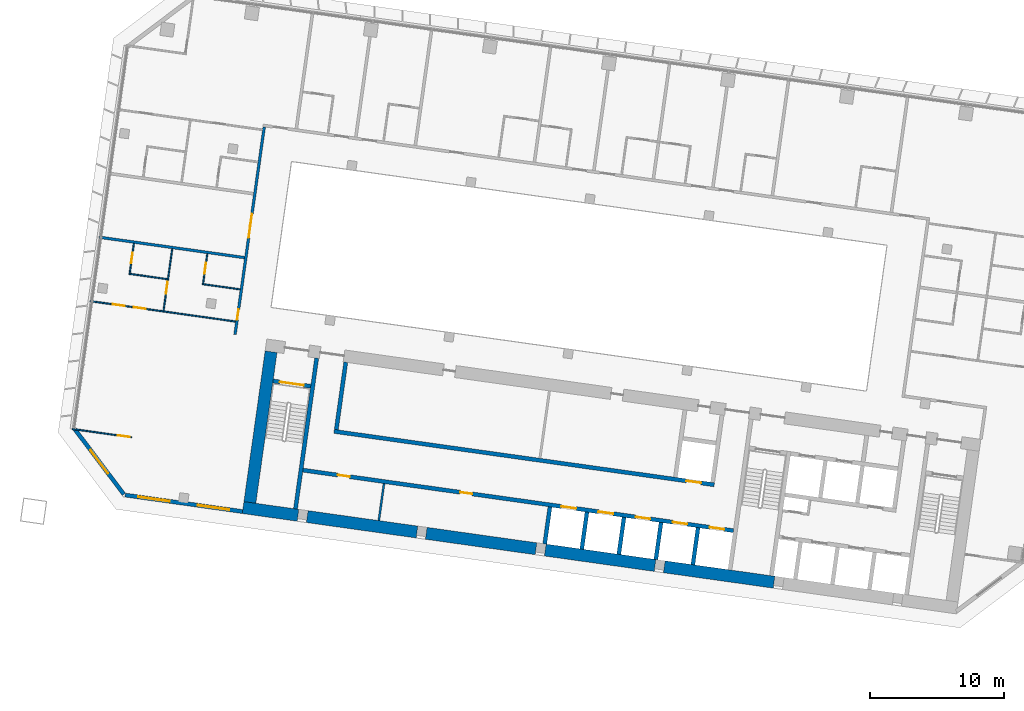
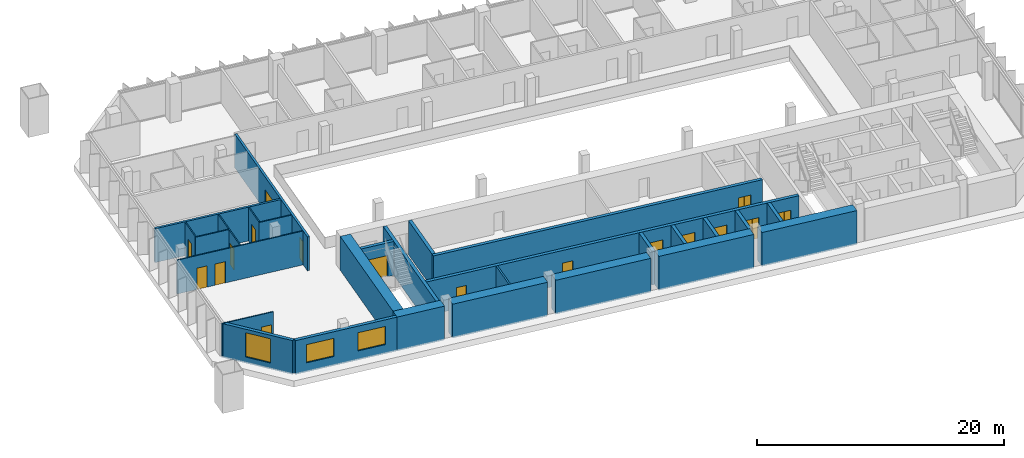
# One storey, part 14 of 24: 28 walls, 17 doors, 3 windows, 20 openings.
"""IFC4 building model written with IfcOpenShell, lengths in metres."""

from ifc_helpers import new_model, si_unit, direction, frame, frame_2d, origin, place, context, subcontext, project, spatial, rectangle, extrude, material, layer, layer_set, type_object, element, fill, save


model = new_model("IFC4")

# Units and contexts
model_context = context("Model", 3, precision=1e-05, world=origin(), true_north=direction((0.0, 1.0)))
body_context = subcontext(model_context, "Body", "Model", "MODEL_VIEW")
ifc_project = project(units=[si_unit("LENGTHUNIT", "METRE"), si_unit("AREAUNIT", "SQUARE_METRE"), si_unit("VOLUMEUNIT", "CUBIC_METRE"), si_unit("PLANEANGLEUNIT", "RADIAN"), si_unit("MASSUNIT", "GRAM", prefix="KILO")], contexts=[model_context])

# Site, building, storey
site_placement = place(None, origin())
site = spatial("IfcSite", under=ifc_project, at=site_placement, CompositionType="ELEMENT")
building_placement = place(site_placement, origin())
building = spatial("IfcBuilding", under=site, at=building_placement, Name="Mirante Cascada Hotel Towers", CompositionType="ELEMENT")
storey_placement = place(building_placement, frame((0.0, 0.0, 50.9)))
storey = spatial("IfcBuildingStorey", under=building, at=storey_placement, Name="L09", CompositionType="ELEMENT", Elevation=50.9)

# Wall
ifc_material_1 = material(Name="Fire-rated plasterboard on metal studs")
ifc_layer_1 = layer(ifc_material_1, 0.2)
ifc_layer_set_1 = layer_set([ifc_layer_1], Name="Compartment wall 200 EI 120")
wall_type_1 = type_object("IfcWallType", Name="Compartment wall 200 EI 120", PredefinedType="PARTITIONING", material=ifc_layer_set_1)
wall_1_placement = place(storey_placement, frame((-90.4064, 6.4896, 0.0), z_axis=(0.0, 0.0, 1.0), x_axis=(-0.990268, 0.1391733, 0.0)))
element("IfcWall", 1, at=wall_1_placement, inside=storey, type_object=wall_type_1, Name="Wall 1-L09-08", PredefinedType="PARTITIONING", context=body_context, shape_type="SweptSolid", body=[
    extrude(rectangle(XDim=11.0, YDim=0.2, at=frame_2d((5.5, 0.0))), origin(), (0.0, 0.0, 1.0), 3.35),
])

# Wall, openings, doors
wall_2_placement = place(storey_placement, frame((-91.1145, 0.7321, 0.0), z_axis=(0.0, 0.0, 1.0), x_axis=(0.1391721, 0.9902682, 0.0)))
wall_2 = element("IfcWall", 2, at=wall_2_placement, inside=storey, type_object=wall_type_1, Name="Wall 1-L09-50", PredefinedType="PARTITIONING", context=body_context, shape_type="SweptSolid", body=[
    extrude(rectangle(XDim=15.7, YDim=0.2, at=frame_2d((7.85, 0.0))), origin(), (0.0, 0.0, 1.0), 3.35),
])
opening_1_placement = place(wall_2_placement, frame((1.1167, 0.0, 0.0)))
opening_1 = element("IfcOpeningElement", 3, at=opening_1_placement, cuts=wall_2, Name="Opening D1-L09-34", PredefinedType="OPENING", context=body_context, shape_type="SweptSolid", body=[
    extrude(rectangle(XDim=0.8, YDim=2.1, at=frame_2d((0.4, 1.05))), frame((0.0, 0.1, 0.0), z_axis=(0.0, -1.0, 0.0), x_axis=(1.0, 0.0, 0.0)), (0.0, 0.0, 1.0), 0.2),
])
opening_2_placement = place(wall_2_placement, frame((7.3167, 0.0, 0.0)))
opening_2 = element("IfcOpeningElement", 4, at=opening_2_placement, cuts=wall_2, Name="Opening D1-L09-35", PredefinedType="OPENING", context=body_context, shape_type="SweptSolid", body=[
    extrude(rectangle(XDim=1.8, YDim=2.1, at=frame_2d((0.9, 1.05))), frame((0.0, 0.1, 0.0), z_axis=(0.0, -1.0, 0.0), x_axis=(1.0, 0.0, 0.0)), (0.0, 0.0, 1.0), 0.2),
])
ifc_material_2 = material(Name="Fire-rated timber door leaf", Category="wood")
door_type_1 = type_object("IfcDoorType", Name="Bathroom door DG4 800x2100 EI 60", OperationType="SINGLE_SWING_LEFT", PredefinedType="DOOR", material=ifc_material_2)
door_1_placement = place(opening_1_placement, frame((0.8, 0.0, 0.0), z_axis=(0.0, 0.0, 1.0), x_axis=(-1.0, 0.0, 0.0)))
door_1 = element("IfcDoor", 5, at=door_1_placement, inside=storey, type_object=door_type_1, Name="Door D1-L09-34", OperationType="SINGLE_SWING_RIGHT", OverallHeight=2.1, OverallWidth=0.8, PredefinedType="DOOR", context=body_context, shape_type="SweptSolid", body=[
    extrude(rectangle(XDim=0.8, YDim=2.1, at=frame_2d((0.4, 1.05))), frame((0.0, 0.025, 0.0), z_axis=(0.0, -1.0, 0.0), x_axis=(1.0, 0.0, 0.0)), (0.0, 0.0, 1.0), 0.05),
])
fill(opening_1, door_1)
ifc_material_3 = material(Name="Fire-rated timber door leaf", Category="wood")
door_type_2 = type_object("IfcDoorType", Name="Suite double door DG2 1800x2100 EI 60", OperationType="DOUBLE_DOOR_SINGLE_SWING", PredefinedType="DOOR", material=ifc_material_3)
door_2_placement = place(opening_2_placement, origin())
door_2 = element("IfcDoor", 6, at=door_2_placement, inside=storey, type_object=door_type_2, Name="Door D1-L09-35", OperationType="DOUBLE_DOOR_SINGLE_SWING", OverallHeight=2.1, OverallWidth=1.8, PredefinedType="DOOR", context=body_context, shape_type="SweptSolid", body=[
    extrude(rectangle(XDim=0.895, YDim=2.1, at=frame_2d((0.4475, 1.05))), frame((0.0, 0.025, 0.0), z_axis=(0.0, -1.0, 0.0), x_axis=(1.0, 0.0, 0.0)), (0.0, 0.0, 1.0), 0.05),
    extrude(rectangle(XDim=0.895, YDim=2.1, at=frame_2d((1.3525, 1.05))), frame((0.0, 0.025, 0.0), z_axis=(0.0, -1.0, 0.0), x_axis=(1.0, 0.0, 0.0)), (0.0, 0.0, 1.0), 0.05),
])
fill(opening_2, door_2)

# Wall
ifc_material_4 = material(Name="Masonry block", Category="masonry")
ifc_layer_2 = layer(ifc_material_4, 0.15)
ifc_layer_set_2 = layer_set([ifc_layer_2], Name="Core room partition 150 block EI 30")
wall_type_2 = type_object("IfcWallType", Name="Core room partition 150 block EI 30", PredefinedType="PARTITIONING", material=ifc_layer_set_2)
wall_3_placement = place(storey_placement, frame((-80.349, -13.2018, 0.0), z_axis=(0.0, 0.0, 1.0), x_axis=(0.139176, 0.9902677, 0.0)))
element("IfcWall", 7, at=wall_3_placement, inside=storey, type_object=wall_type_2, Name="Core wall partition T1 L09 4", PredefinedType="PARTITIONING", context=body_context, shape_type="SweptSolid", body=[
    extrude(rectangle(XDim=2.8001, YDim=0.15, at=frame_2d((1.4, 0.0))), origin(), (0.0, 0.0, 1.0), 3.35),
])

# Wall, opening, door
ifc_material_5 = material(Name="Plasterboard on metal studs")
ifc_layer_3 = layer(ifc_material_5, 0.1)
ifc_layer_set_3 = layer_set([ifc_layer_3], Name="Partition 100")
wall_type_3 = type_object("IfcWallType", Name="Partition 100", PredefinedType="PARTITIONING", material=ifc_layer_set_3)
wall_4_placement = place(storey_placement, frame((-98.8611, -6.9647, 0.0), z_axis=(0.0, 0.0, 1.0), x_axis=(-0.9902674, 0.1391779, 0.0)))
wall_4 = element("IfcWall", 8, at=wall_4_placement, inside=storey, type_object=wall_type_3, Name="Wall 1-L09-02", PredefinedType="PARTITIONING", context=body_context, shape_type="SweptSolid", body=[
    extrude(rectangle(XDim=4.5, YDim=0.1, at=frame_2d((2.25, 0.0))), origin(), (0.0, 0.0, 1.0), 3.35),
])
opening_3_placement = place(wall_4_placement, frame((0.15, 0.0, 0.0)))
opening_3 = element("IfcOpeningElement", 9, at=opening_3_placement, cuts=wall_4, Name="Opening D1-L09-02", PredefinedType="OPENING", context=body_context, shape_type="SweptSolid", body=[
    extrude(rectangle(XDim=0.9, YDim=2.1, at=frame_2d((0.45, 1.05))), frame((0.0, 0.05, 0.0), z_axis=(0.0, -1.0, 0.0), x_axis=(1.0, 0.0, 0.0)), (0.0, 0.0, 1.0), 0.1),
])
ifc_material_6 = material(Name="Timber door leaf", Category="wood")
door_type_3 = type_object("IfcDoorType", Name="Room door DG3 900x2100", OperationType="SINGLE_SWING_LEFT", PredefinedType="DOOR", material=ifc_material_6)
door_3_placement = place(opening_3_placement, frame((0.9, 0.0, 0.0), z_axis=(0.0, 0.0, 1.0), x_axis=(-1.0, 0.0, 0.0)))
door_3 = element("IfcDoor", 10, at=door_3_placement, inside=storey, type_object=door_type_3, Name="Door D1-L09-02", OperationType="SINGLE_SWING_RIGHT", OverallHeight=2.1, OverallWidth=0.9, PredefinedType="DOOR", context=body_context, shape_type="SweptSolid", body=[
    extrude(rectangle(XDim=0.9, YDim=2.1, at=frame_2d((0.45, 1.05))), frame((0.0, 0.025, 0.0), z_axis=(0.0, -1.0, 0.0), x_axis=(1.0, 0.0, 0.0)), (0.0, 0.0, 1.0), 0.05),
])
fill(opening_3, door_3)

# Wall, openings, doors
wall_5_placement = place(storey_placement, frame((-101.972, 3.2342, 0.0), z_axis=(0.0, 0.0, 1.0), x_axis=(0.9902682, -0.1391721, 0.0)))
wall_5 = element("IfcWall", 11, at=wall_5_placement, inside=storey, type_object=wall_type_3, Name="Wall 1-L09-03", PredefinedType="PARTITIONING", context=body_context, shape_type="SweptSolid", body=[
    extrude(rectangle(XDim=11.0001, YDim=0.1, at=frame_2d((5.5, 0.0))), origin(), (0.0, 0.0, 1.0), 3.35),
])
opening_4_placement = place(wall_5_placement, frame((3.3, 0.0, 0.0)))
opening_4 = element("IfcOpeningElement", 12, at=opening_4_placement, cuts=wall_5, Name="Opening D1-L09-03", PredefinedType="OPENING", context=body_context, shape_type="SweptSolid", body=[
    extrude(rectangle(XDim=0.9, YDim=2.1, at=frame_2d((0.45, 1.05))), frame((0.0, 0.05, 0.0), z_axis=(0.0, -1.0, 0.0), x_axis=(1.0, 0.0, 0.0)), (0.0, 0.0, 1.0), 0.1),
])
opening_5_placement = place(wall_5_placement, frame((1.725, 0.0, 0.0)))
opening_5 = element("IfcOpeningElement", 13, at=opening_5_placement, cuts=wall_5, Name="Opening D1-L09-04", PredefinedType="OPENING", context=body_context, shape_type="SweptSolid", body=[
    extrude(rectangle(XDim=0.9, YDim=2.1, at=frame_2d((0.45, 1.05))), frame((0.0, 0.05, 0.0), z_axis=(0.0, -1.0, 0.0), x_axis=(1.0, 0.0, 0.0)), (0.0, 0.0, 1.0), 0.1),
])
door_4_placement = place(opening_4_placement, frame((0.9, 0.0, 0.0), z_axis=(0.0, 0.0, 1.0), x_axis=(-1.0, 0.0, 0.0)))
door_4 = element("IfcDoor", 14, at=door_4_placement, inside=storey, type_object=door_type_3, Name="Door D1-L09-03", OperationType="SINGLE_SWING_RIGHT", OverallHeight=2.1, OverallWidth=0.9, PredefinedType="DOOR", context=body_context, shape_type="SweptSolid", body=[
    extrude(rectangle(XDim=0.9, YDim=2.1, at=frame_2d((0.45, 1.05))), frame((0.0, 0.025, 0.0), z_axis=(0.0, -1.0, 0.0), x_axis=(1.0, 0.0, 0.0)), (0.0, 0.0, 1.0), 0.05),
])
fill(opening_4, door_4)
door_5_placement = place(opening_5_placement, frame((0.9, 0.0, 0.0), z_axis=(0.0, 0.0, 1.0), x_axis=(-1.0, 0.0, 0.0)))
door_5 = element("IfcDoor", 15, at=door_5_placement, inside=storey, type_object=door_type_3, Name="Door D1-L09-04", OperationType="SINGLE_SWING_RIGHT", OverallHeight=2.1, OverallWidth=0.9, PredefinedType="DOOR", context=body_context, shape_type="SweptSolid", body=[
    extrude(rectangle(XDim=0.9, YDim=2.1, at=frame_2d((0.45, 1.05))), frame((0.0, 0.025, 0.0), z_axis=(0.0, -1.0, 0.0), x_axis=(1.0, 0.0, 0.0)), (0.0, 0.0, 1.0), 0.05),
])
fill(opening_5, door_5)

# Walls
wall_6_placement = place(storey_placement, frame((-93.5626, 4.5096, 0.0), z_axis=(0.0, 0.0, 1.0), x_axis=(0.9902649, -0.1391957, 0.0)))
element("IfcWall", 16, at=wall_6_placement, inside=storey, type_object=wall_type_3, Name="Wall 1-L09-05", PredefinedType="PARTITIONING", context=body_context, shape_type="SweptSolid", body=[
    extrude(rectangle(XDim=2.8499, YDim=0.1, at=frame_2d((1.425, 0.0))), origin(), (0.0, 0.0, 1.0), 3.35),
])
wall_7_placement = place(storey_placement, frame((-96.1868, 4.8784, 0.0), z_axis=(0.0, 0.0, 1.0), x_axis=(-0.9902683, 0.1391714, 0.0)))
element("IfcWall", 17, at=wall_7_placement, inside=storey, type_object=wall_type_3, Name="Wall 1-L09-06", PredefinedType="PARTITIONING", context=body_context, shape_type="SweptSolid", body=[
    extrude(rectangle(XDim=2.9, YDim=0.1, at=frame_2d((1.45, 0.0))), origin(), (0.0, 0.0, 1.0), 3.35),
])

# Wall, opening, door
wall_8_placement = place(storey_placement, frame((-93.193, 6.7802, 0.0), z_axis=(0.0, 0.0, 1.0), x_axis=(-0.1391997, -0.9902643, 0.0)))
wall_8 = element("IfcWall", 18, at=wall_8_placement, inside=storey, type_object=wall_type_3, Name="Wall 1-L09-51", PredefinedType="PARTITIONING", context=body_context, shape_type="SweptSolid", body=[
    extrude(rectangle(XDim=2.25, YDim=0.1, at=frame_2d((1.125, 0.0))), origin(), (0.0, 0.0, 1.0), 3.35),
])
opening_6_placement = place(wall_8_placement, frame((0.7, 0.0, 0.0)))
opening_6 = element("IfcOpeningElement", 19, at=opening_6_placement, cuts=wall_8, Name="Opening D1-L09-36", PredefinedType="OPENING", context=body_context, shape_type="SweptSolid", body=[
    extrude(rectangle(XDim=0.8, YDim=2.1, at=frame_2d((0.4, 1.05))), frame((0.0, 0.05, 0.0), z_axis=(0.0, -1.0, 0.0), x_axis=(1.0, 0.0, 0.0)), (0.0, 0.0, 1.0), 0.1),
])
ifc_material_7 = material(Name="Timber door leaf", Category="wood")
door_type_4 = type_object("IfcDoorType", Name="Bathroom door DG4 800x2100", OperationType="SINGLE_SWING_LEFT", PredefinedType="DOOR", material=ifc_material_7)
door_6_placement = place(opening_6_placement, origin())
door_6 = element("IfcDoor", 20, at=door_6_placement, inside=storey, type_object=door_type_4, Name="Door D1-L09-36", OperationType="SINGLE_SWING_LEFT", OverallHeight=2.1, OverallWidth=0.8, PredefinedType="DOOR", context=body_context, shape_type="SweptSolid", body=[
    extrude(rectangle(XDim=0.8, YDim=2.1, at=frame_2d((0.4, 1.05))), frame((0.0, 0.025, 0.0), z_axis=(0.0, -1.0, 0.0), x_axis=(1.0, 0.0, 0.0)), (0.0, 0.0, 1.0), 0.05),
])
fill(opening_6, door_6)

wall_9_placement = place(storey_placement, frame((-95.8172, 7.149, 0.0), z_axis=(0.0, 0.0, 1.0), x_axis=(-0.139176, -0.9902677, 0.0)))
wall_9 = element("IfcWall", 21, at=wall_9_placement, inside=storey, type_object=wall_type_3, Name="Wall 1-L09-53", PredefinedType="PARTITIONING", context=body_context, shape_type="SweptSolid", body=[
    extrude(rectangle(XDim=4.6833, YDim=0.1, at=frame_2d((2.3416, 0.0))), origin(), (0.0, 0.0, 1.0), 3.35),
])
opening_7_placement = place(wall_9_placement, frame((2.4833, 0.0, 0.0)))
opening_7 = element("IfcOpeningElement", 22, at=opening_7_placement, cuts=wall_9, Name="Opening D1-L09-38", PredefinedType="OPENING", context=body_context, shape_type="SweptSolid", body=[
    extrude(rectangle(XDim=0.9, YDim=2.1, at=frame_2d((0.45, 1.05))), frame((0.0, 0.05, 0.0), z_axis=(0.0, -1.0, 0.0), x_axis=(1.0, 0.0, 0.0)), (0.0, 0.0, 1.0), 0.1),
])
door_7_placement = place(opening_7_placement, origin())
door_7 = element("IfcDoor", 23, at=door_7_placement, inside=storey, type_object=door_type_3, Name="Door D1-L09-38", OperationType="SINGLE_SWING_LEFT", OverallHeight=2.1, OverallWidth=0.9, PredefinedType="DOOR", context=body_context, shape_type="SweptSolid", body=[
    extrude(rectangle(XDim=0.9, YDim=2.1, at=frame_2d((0.45, 1.05))), frame((0.0, 0.025, 0.0), z_axis=(0.0, -1.0, 0.0), x_axis=(1.0, 0.0, 0.0)), (0.0, 0.0, 1.0), 0.05),
])
fill(opening_7, door_7)

wall_10_placement = place(storey_placement, frame((-99.0021, 5.3245, 0.0), z_axis=(0.0, 0.0, 1.0), x_axis=(0.1391561, 0.9902705, 0.0)))
wall_10 = element("IfcWall", 24, at=wall_10_placement, inside=storey, type_object=wall_type_3, Name="Wall 1-L09-56", PredefinedType="PARTITIONING", context=body_context, shape_type="SweptSolid", body=[
    extrude(rectangle(XDim=2.25, YDim=0.1, at=frame_2d((1.125, 0.0))), origin(), (0.0, 0.0, 1.0), 3.35),
])
opening_8_placement = place(wall_10_placement, frame((0.75, 0.0, 0.0)))
opening_8 = element("IfcOpeningElement", 25, at=opening_8_placement, cuts=wall_10, Name="Opening D1-L09-40", PredefinedType="OPENING", context=body_context, shape_type="SweptSolid", body=[
    extrude(rectangle(XDim=0.8, YDim=2.1, at=frame_2d((0.4, 1.05))), frame((0.0, 0.05, 0.0), z_axis=(0.0, -1.0, 0.0), x_axis=(1.0, 0.0, 0.0)), (0.0, 0.0, 1.0), 0.1),
])
door_8_placement = place(opening_8_placement, frame((0.8, 0.0, 0.0), z_axis=(0.0, 0.0, 1.0), x_axis=(-1.0, 0.0, 0.0)))
door_8 = element("IfcDoor", 26, at=door_8_placement, inside=storey, type_object=door_type_4, Name="Door D1-L09-40", OperationType="SINGLE_SWING_RIGHT", OverallHeight=2.1, OverallWidth=0.8, PredefinedType="DOOR", context=body_context, shape_type="SweptSolid", body=[
    extrude(rectangle(XDim=0.8, YDim=2.1, at=frame_2d((0.4, 1.05))), frame((0.0, 0.025, 0.0), z_axis=(0.0, -1.0, 0.0), x_axis=(1.0, 0.0, 0.0)), (0.0, 0.0, 1.0), 0.05),
])
fill(opening_8, door_8)

# Wall, openings, windows
ifc_material_8 = material(Name="Precast concrete C40/50", Category="concrete")
ifc_layer_4 = layer(ifc_material_8, 0.3)
ifc_layer_set_4 = layer_set([ifc_layer_4], Name="Precast concrete C40/50 cladding wall 300")
wall_type_4 = type_object("IfcWallType", Name="Precast concrete C40/50 cladding wall 300", PredefinedType="STANDARD", material=ifc_layer_set_4)
wall_11_placement = place(storey_placement, frame((-90.5541, -12.5249, 0.0), z_axis=(0.0, 0.0, 1.0), x_axis=(-0.9902678, 0.1391749, 0.0)))
wall_11 = element("IfcWall", 27, at=wall_11_placement, inside=storey, type_object=wall_type_4, Name="Rear cladding wall T1 L09 1", PredefinedType="STANDARD", context=body_context, shape_type="SweptSolid", body=[
    extrude(rectangle(XDim=8.8759, YDim=0.3, at=frame_2d((4.438, 0.0))), origin(), (0.0, 0.0, 1.0), 3.35),
])
opening_9_placement = place(wall_11_placement, frame((1.0012, 0.0, 0.9)))
opening_9 = element("IfcOpeningElement", 28, at=opening_9_placement, cuts=wall_11, Name="Opening W1-09-01", PredefinedType="OPENING", context=body_context, shape_type="SweptSolid", body=[
    extrude(rectangle(XDim=2.4, YDim=1.8, at=frame_2d((1.2, 0.9))), frame((0.0, 0.15, 0.0), z_axis=(0.0, -1.0, 0.0), x_axis=(1.0, 0.0, 0.0)), (0.0, 0.0, 1.0), 0.3),
])
opening_10_placement = place(wall_11_placement, frame((5.4923, 0.0, 0.9)))
opening_10 = element("IfcOpeningElement", 29, at=opening_10_placement, cuts=wall_11, Name="Opening W1-09-02", PredefinedType="OPENING", context=body_context, shape_type="SweptSolid", body=[
    extrude(rectangle(XDim=2.4, YDim=1.8, at=frame_2d((1.2, 0.9))), frame((0.0, 0.15, 0.0), z_axis=(0.0, -1.0, 0.0), x_axis=(1.0, 0.0, 0.0)), (0.0, 0.0, 1.0), 0.3),
])
ifc_material_9 = material(Name="Aluminium frame with clear double glazing", Category="aluminium")
window_type_1 = type_object("IfcWindowType", Name="Punched window 2400x1800", PartitioningType="DOUBLE_PANEL_VERTICAL", PredefinedType="WINDOW", material=ifc_material_9)
window_1_placement = place(opening_9_placement, origin())
window_1 = element("IfcWindow", 30, at=window_1_placement, inside=storey, type_object=window_type_1, Name="Window W1-09-01", OverallHeight=1.8, OverallWidth=2.4, PartitioningType="SINGLE_PANEL", PredefinedType="WINDOW", context=body_context, shape_type="SweptSolid", body=[
    extrude(rectangle(XDim=2.4, YDim=1.8, at=frame_2d((1.2, 0.9))), frame((0.0, 0.03, 0.0), z_axis=(0.0, -1.0, 0.0), x_axis=(1.0, 0.0, 0.0)), (0.0, 0.0, 1.0), 0.06),
])
fill(opening_9, window_1)
window_2_placement = place(opening_10_placement, origin())
window_2 = element("IfcWindow", 31, at=window_2_placement, inside=storey, type_object=window_type_1, Name="Window W1-09-02", OverallHeight=1.8, OverallWidth=2.4, PartitioningType="SINGLE_PANEL", PredefinedType="WINDOW", context=body_context, shape_type="SweptSolid", body=[
    extrude(rectangle(XDim=2.4, YDim=1.8, at=frame_2d((1.2, 0.9))), frame((0.0, 0.03, 0.0), z_axis=(0.0, -1.0, 0.0), x_axis=(1.0, 0.0, 0.0)), (0.0, 0.0, 1.0), 0.06),
])
fill(opening_10, window_2)

# Wall, opening, window
wall_12_placement = place(storey_placement, frame((-99.4423, -11.2315, 0.0), z_axis=(0.0, 0.0, 1.0), x_axis=(-0.6018141, 0.7986362, 0.0)))
wall_12 = element("IfcWall", 32, at=wall_12_placement, inside=storey, type_object=wall_type_4, Name="Corner cladding wall T1 L09 rear outer", PredefinedType="STANDARD", context=body_context, shape_type="SweptSolid", body=[
    extrude(rectangle(XDim=6.1157, YDim=0.3, at=frame_2d((3.0578, 0.0))), origin(), (0.0, 0.0, 1.0), 3.35),
])
opening_11_placement = place(wall_12_placement, frame((1.9578, 0.0, 0.6)))
opening_11 = element("IfcOpeningElement", 33, at=opening_11_placement, cuts=wall_12, Name="Opening W1-09-03", PredefinedType="OPENING", context=body_context, shape_type="SweptSolid", body=[
    extrude(rectangle(XDim=2.2, YDim=2.4, at=frame_2d((1.1, 1.2))), frame((0.0, 0.15, 0.0), z_axis=(0.0, -1.0, 0.0), x_axis=(1.0, 0.0, 0.0)), (0.0, 0.0, 1.0), 0.3),
])
ifc_material_10 = material(Name="Aluminium frame with clear double glazing", Category="aluminium")
window_type_2 = type_object("IfcWindowType", Name="Corner suite window 2200x2400", PartitioningType="DOUBLE_PANEL_VERTICAL", PredefinedType="WINDOW", material=ifc_material_10)
window_3_placement = place(opening_11_placement, origin())
window_3 = element("IfcWindow", 34, at=window_3_placement, inside=storey, type_object=window_type_2, Name="Window W1-09-03", OverallHeight=2.4, OverallWidth=2.2, PartitioningType="SINGLE_PANEL", PredefinedType="WINDOW", context=body_context, shape_type="SweptSolid", body=[
    extrude(rectangle(XDim=2.2, YDim=2.4, at=frame_2d((1.1, 1.2))), frame((0.0, 0.03, 0.0), z_axis=(0.0, -1.0, 0.0), x_axis=(1.0, 0.0, 0.0)), (0.0, 0.0, 1.0), 0.06),
])
fill(opening_11, window_3)

# Wall
ifc_material_11 = material(Name="Concrete C50/60", Category="concrete")
ifc_layer_5 = layer(ifc_material_11, 0.3)
ifc_layer_set_5 = layer_set([ifc_layer_5], Name="RC core wall 300 C50/60")
wall_type_5 = type_object("IfcWallType", Name="RC core wall 300 C50/60", PredefinedType="SHEAR", material=ifc_layer_set_5)
wall_13_placement = place(storey_placement, frame((-86.5877, -12.325, 0.0), z_axis=(0.0, 0.0, 1.0), x_axis=(0.1391749, 0.9902678, 0.0)))
element("IfcWall", 35, at=wall_13_placement, inside=storey, type_object=wall_type_5, Name="Core wall T1:L09:8", PredefinedType="SHEAR", context=body_context, shape_type="SweptSolid", body=[
    extrude(rectangle(XDim=11.4, YDim=0.3, at=frame_2d((5.7, 0.0))), origin(), (0.0, 0.0, 1.0), 3.35),
])

# Wall, opening, door
wall_14_placement = place(storey_placement, frame((-85.4489, -3.1441, 0.0), z_axis=(0.0, 0.0, 1.0), x_axis=(-0.9902697, 0.1391613, 0.0)))
wall_14 = element("IfcWall", 36, at=wall_14_placement, inside=storey, type_object=wall_type_5, Name="Core wall T1:L09:11", PredefinedType="SHEAR", context=body_context, shape_type="SweptSolid", body=[
    extrude(rectangle(XDim=2.8499, YDim=0.3, at=frame_2d((1.425, 0.0))), origin(), (0.0, 0.0, 1.0), 3.35),
])
opening_12_placement = place(wall_14_placement, frame((0.525, 0.0, 0.0)))
opening_12 = element("IfcOpeningElement", 37, at=opening_12_placement, cuts=wall_14, Name="Opening D1-09-C17", PredefinedType="OPENING", context=body_context, shape_type="SweptSolid", body=[
    extrude(rectangle(XDim=1.8, YDim=2.1, at=frame_2d((0.9, 1.05))), frame((0.0, 0.15, 0.0), z_axis=(0.0, -1.0, 0.0), x_axis=(1.0, 0.0, 0.0)), (0.0, 0.0, 1.0), 0.3),
])
ifc_material_12 = material(Name="Hollow metal fire door leaf")
door_type_5 = type_object("IfcDoorType", Name="Double fire door 1800x2100 FD60", OperationType="DOUBLE_DOOR_SINGLE_SWING", PredefinedType="DOOR", material=ifc_material_12)
door_9_placement = place(opening_12_placement, origin())
door_9 = element("IfcDoor", 38, at=door_9_placement, inside=storey, type_object=door_type_5, Name="Stair door T1 L09 17", OperationType="DOUBLE_DOOR_SINGLE_SWING", OverallHeight=2.1, OverallWidth=1.8, PredefinedType="DOOR", context=body_context, shape_type="SweptSolid", body=[
    extrude(rectangle(XDim=0.895, YDim=2.1, at=frame_2d((0.4475, 1.05))), frame((0.0, 0.025, 0.0), z_axis=(0.0, -1.0, 0.0), x_axis=(1.0, 0.0, 0.0)), (0.0, 0.0, 1.0), 0.05),
    extrude(rectangle(XDim=0.895, YDim=2.1, at=frame_2d((1.3525, 1.05))), frame((0.0, 0.025, 0.0), z_axis=(0.0, -1.0, 0.0), x_axis=(1.0, 0.0, 0.0)), (0.0, 0.0, 1.0), 0.05),
])
fill(opening_12, door_9)

# Wall, openings, doors
wall_15_placement = place(storey_placement, frame((-53.7953, -13.9547, 0.0), z_axis=(0.0, 0.0, 1.0), x_axis=(-0.990268, 0.1391733, 0.0)))
wall_15 = element("IfcWall", 39, at=wall_15_placement, inside=storey, type_object=wall_type_5, Name="Core wall T1:L09:24", PredefinedType="SHEAR", context=body_context, shape_type="SweptSolid", body=[
    extrude(rectangle(XDim=32.5501, YDim=0.3, at=frame_2d((16.275, 0.0))), origin(), (0.0, 0.0, 1.0), 3.35),
])
opening_13_placement = place(wall_15_placement, frame((0.7, 0.0, 0.0)))
opening_13 = element("IfcOpeningElement", 40, at=opening_13_placement, cuts=wall_15, Name="Opening LD", PredefinedType="OPENING", context=body_context, shape_type="SweptSolid", body=[
    extrude(rectangle(XDim=1.1, YDim=2.1, at=frame_2d((0.55, 1.05))), frame((0.0, 0.15, 0.0), z_axis=(0.0, -1.0, 0.0), x_axis=(1.0, 0.0, 0.0)), (0.0, 0.0, 1.0), 0.3),
])
opening_14_placement = place(wall_15_placement, frame((3.5, 0.0, 0.0)))
opening_14 = element("IfcOpeningElement", 41, at=opening_14_placement, cuts=wall_15, Name="Opening LD", PredefinedType="OPENING", context=body_context, shape_type="SweptSolid", body=[
    extrude(rectangle(XDim=1.1, YDim=2.1, at=frame_2d((0.55, 1.05))), frame((0.0, 0.15, 0.0), z_axis=(0.0, -1.0, 0.0), x_axis=(1.0, 0.0, 0.0)), (0.0, 0.0, 1.0), 0.3),
])
opening_15_placement = place(wall_15_placement, frame((6.3, 0.0, 0.0)))
opening_15 = element("IfcOpeningElement", 42, at=opening_15_placement, cuts=wall_15, Name="Opening LD", PredefinedType="OPENING", context=body_context, shape_type="SweptSolid", body=[
    extrude(rectangle(XDim=1.1, YDim=2.1, at=frame_2d((0.55, 1.05))), frame((0.0, 0.15, 0.0), z_axis=(0.0, -1.0, 0.0), x_axis=(1.0, 0.0, 0.0)), (0.0, 0.0, 1.0), 0.3),
])
opening_16_placement = place(wall_15_placement, frame((9.1, 0.0, 0.0)))
opening_16 = element("IfcOpeningElement", 43, at=opening_16_placement, cuts=wall_15, Name="Opening LD", PredefinedType="OPENING", context=body_context, shape_type="SweptSolid", body=[
    extrude(rectangle(XDim=1.1, YDim=2.1, at=frame_2d((0.55, 1.05))), frame((0.0, 0.15, 0.0), z_axis=(0.0, -1.0, 0.0), x_axis=(1.0, 0.0, 0.0)), (0.0, 0.0, 1.0), 0.3),
])
opening_17_placement = place(wall_15_placement, frame((11.9, 0.0, 0.0)))
opening_17 = element("IfcOpeningElement", 44, at=opening_17_placement, cuts=wall_15, Name="Opening LD", PredefinedType="OPENING", context=body_context, shape_type="SweptSolid", body=[
    extrude(rectangle(XDim=1.1, YDim=2.1, at=frame_2d((0.55, 1.05))), frame((0.0, 0.15, 0.0), z_axis=(0.0, -1.0, 0.0), x_axis=(1.0, 0.0, 0.0)), (0.0, 0.0, 1.0), 0.3),
])
opening_18_placement = place(wall_15_placement, frame((19.75, 0.0, 0.0)))
opening_18 = element("IfcOpeningElement", 45, at=opening_18_placement, cuts=wall_15, Name="Opening D1-09-C25", PredefinedType="OPENING", context=body_context, shape_type="SweptSolid", body=[
    extrude(rectangle(XDim=0.9, YDim=2.1, at=frame_2d((0.45, 1.05))), frame((0.0, 0.15, 0.0), z_axis=(0.0, -1.0, 0.0), x_axis=(1.0, 0.0, 0.0)), (0.0, 0.0, 1.0), 0.3),
])
opening_19_placement = place(wall_15_placement, frame((29.025, 0.0, 0.0)))
opening_19 = element("IfcOpeningElement", 46, at=opening_19_placement, cuts=wall_15, Name="Opening D1-09-C26", PredefinedType="OPENING", context=body_context, shape_type="SweptSolid", body=[
    extrude(rectangle(XDim=0.9, YDim=2.1, at=frame_2d((0.45, 1.05))), frame((0.0, 0.15, 0.0), z_axis=(0.0, -1.0, 0.0), x_axis=(1.0, 0.0, 0.0)), (0.0, 0.0, 1.0), 0.3),
])
ifc_material_13 = material(Name="Hollow metal fire door leaf")
door_type_6 = type_object("IfcDoorType", Name="Fire door 900x2100 FD60", OperationType="NOTDEFINED", PredefinedType="DOOR", material=ifc_material_13)
door_10_placement = place(opening_18_placement, origin())
door_10 = element("IfcDoor", 47, at=door_10_placement, inside=storey, type_object=door_type_6, Name="Room door T1 L09 25", OperationType="SINGLE_SWING_LEFT", OverallHeight=2.1, OverallWidth=0.9, PredefinedType="DOOR", context=body_context, shape_type="SweptSolid", body=[
    extrude(rectangle(XDim=0.9, YDim=2.1, at=frame_2d((0.45, 1.05))), frame((0.0, 0.025, 0.0), z_axis=(0.0, -1.0, 0.0), x_axis=(1.0, 0.0, 0.0)), (0.0, 0.0, 1.0), 0.05),
])
fill(opening_18, door_10)
door_11_placement = place(opening_19_placement, origin())
door_11 = element("IfcDoor", 48, at=door_11_placement, inside=storey, type_object=door_type_6, Name="Room door T1 L09 26", OperationType="SINGLE_SWING_LEFT", OverallHeight=2.1, OverallWidth=0.9, PredefinedType="DOOR", context=body_context, shape_type="SweptSolid", body=[
    extrude(rectangle(XDim=0.9, YDim=2.1, at=frame_2d((0.45, 1.05))), frame((0.0, 0.025, 0.0), z_axis=(0.0, -1.0, 0.0), x_axis=(1.0, 0.0, 0.0)), (0.0, 0.0, 1.0), 0.05),
])
fill(opening_19, door_11)
ifc_material_14 = material(Name="Stainless steel", Category="steel")
door_type_7 = type_object("IfcDoorType", Name="Lift landing door 1100x2100 EI 120", OperationType="DOUBLE_DOOR_SLIDING", PredefinedType="DOOR", material=ifc_material_14)
door_12_placement = place(opening_13_placement, origin())
door_12 = element("IfcDoor", 49, at=door_12_placement, inside=storey, type_object=door_type_7, Name="Lift landing door LR1-1 L09", OperationType="DOUBLE_DOOR_SLIDING", OverallHeight=2.1, OverallWidth=1.1, PredefinedType="DOOR", context=body_context, shape_type="SweptSolid", body=[
    extrude(rectangle(XDim=0.545, YDim=2.1, at=frame_2d((0.2725, 1.05))), frame((0.0, 0.025, 0.0), z_axis=(0.0, -1.0, 0.0), x_axis=(1.0, 0.0, 0.0)), (0.0, 0.0, 1.0), 0.05),
    extrude(rectangle(XDim=0.545, YDim=2.1, at=frame_2d((0.8275, 1.05))), frame((0.0, 0.025, 0.0), z_axis=(0.0, -1.0, 0.0), x_axis=(1.0, 0.0, 0.0)), (0.0, 0.0, 1.0), 0.05),
])
fill(opening_13, door_12)
door_13_placement = place(opening_14_placement, origin())
door_13 = element("IfcDoor", 50, at=door_13_placement, inside=storey, type_object=door_type_7, Name="Lift landing door LR1-2 L09", OperationType="DOUBLE_DOOR_SLIDING", OverallHeight=2.1, OverallWidth=1.1, PredefinedType="DOOR", context=body_context, shape_type="SweptSolid", body=[
    extrude(rectangle(XDim=0.545, YDim=2.1, at=frame_2d((0.2725, 1.05))), frame((0.0, 0.025, 0.0), z_axis=(0.0, -1.0, 0.0), x_axis=(1.0, 0.0, 0.0)), (0.0, 0.0, 1.0), 0.05),
    extrude(rectangle(XDim=0.545, YDim=2.1, at=frame_2d((0.8275, 1.05))), frame((0.0, 0.025, 0.0), z_axis=(0.0, -1.0, 0.0), x_axis=(1.0, 0.0, 0.0)), (0.0, 0.0, 1.0), 0.05),
])
fill(opening_14, door_13)
door_14_placement = place(opening_15_placement, origin())
door_14 = element("IfcDoor", 51, at=door_14_placement, inside=storey, type_object=door_type_7, Name="Lift landing door SV1-1 L09", OperationType="DOUBLE_DOOR_SLIDING", OverallHeight=2.1, OverallWidth=1.1, PredefinedType="DOOR", context=body_context, shape_type="SweptSolid", body=[
    extrude(rectangle(XDim=0.545, YDim=2.1, at=frame_2d((0.2725, 1.05))), frame((0.0, 0.025, 0.0), z_axis=(0.0, -1.0, 0.0), x_axis=(1.0, 0.0, 0.0)), (0.0, 0.0, 1.0), 0.05),
    extrude(rectangle(XDim=0.545, YDim=2.1, at=frame_2d((0.8275, 1.05))), frame((0.0, 0.025, 0.0), z_axis=(0.0, -1.0, 0.0), x_axis=(1.0, 0.0, 0.0)), (0.0, 0.0, 1.0), 0.05),
])
fill(opening_15, door_14)
door_15_placement = place(opening_16_placement, origin())
door_15 = element("IfcDoor", 52, at=door_15_placement, inside=storey, type_object=door_type_7, Name="Lift landing door SV1-2 L09", OperationType="DOUBLE_DOOR_SLIDING", OverallHeight=2.1, OverallWidth=1.1, PredefinedType="DOOR", context=body_context, shape_type="SweptSolid", body=[
    extrude(rectangle(XDim=0.545, YDim=2.1, at=frame_2d((0.2725, 1.05))), frame((0.0, 0.025, 0.0), z_axis=(0.0, -1.0, 0.0), x_axis=(1.0, 0.0, 0.0)), (0.0, 0.0, 1.0), 0.05),
    extrude(rectangle(XDim=0.545, YDim=2.1, at=frame_2d((0.8275, 1.05))), frame((0.0, 0.025, 0.0), z_axis=(0.0, -1.0, 0.0), x_axis=(1.0, 0.0, 0.0)), (0.0, 0.0, 1.0), 0.05),
])
fill(opening_16, door_15)
door_16_placement = place(opening_17_placement, origin())
door_16 = element("IfcDoor", 53, at=door_16_placement, inside=storey, type_object=door_type_7, Name="Lift landing door SV1-3 L09", OperationType="DOUBLE_DOOR_SLIDING", OverallHeight=2.1, OverallWidth=1.1, PredefinedType="DOOR", context=body_context, shape_type="SweptSolid", body=[
    extrude(rectangle(XDim=0.545, YDim=2.1, at=frame_2d((0.2725, 1.05))), frame((0.0, 0.025, 0.0), z_axis=(0.0, -1.0, 0.0), x_axis=(1.0, 0.0, 0.0)), (0.0, 0.0, 1.0), 0.05),
    extrude(rectangle(XDim=0.545, YDim=2.1, at=frame_2d((0.8275, 1.05))), frame((0.0, 0.025, 0.0), z_axis=(0.0, -1.0, 0.0), x_axis=(1.0, 0.0, 0.0)), (0.0, 0.0, 1.0), 0.05),
])
fill(opening_17, door_16)

# Walls
for number, where, z_axis, x_axis, name in (
    (54, (-56.8301, -16.5072, 0.0), (0.0, 0.0, 1.0), (0.139176, 0.9902677, 0.0), "Core wall T1:L09:25"),
    (55, (-59.6029, -16.1175, 0.0), (0.0, 0.0, 1.0), (0.139176, 0.9902677, 0.0), "Core wall T1:L09:26"),
    (56, (-62.3756, -15.7278, 0.0), (0.0, 0.0, 1.0), (0.139176, 0.9902677, 0.0), "Core wall T1:L09:27"),
    (57, (-65.1484, -15.3381, 0.0), (0.0, 0.0, 1.0), (0.139176, 0.9902677, 0.0), "Core wall T1:L09:28"),
):
    element("IfcWall", number, at=place(storey_placement, frame(where, z_axis=z_axis, x_axis=x_axis)), inside=storey, type_object=wall_type_5, Name=name, PredefinedType="SHEAR", context=body_context, shape_type="SweptSolid", body=[
        extrude(rectangle(XDim=2.8001, YDim=0.3, at=frame_2d((1.4, 0.0))), origin(), (0.0, 0.0, 1.0), 3.35),
    ])
wall_16_placement = place(storey_placement, frame((-67.9211, -14.9484, 0.0), z_axis=(0.0, 0.0, 1.0), x_axis=(0.139181, 0.990267, 0.0)))
element("IfcWall", 58, at=wall_16_placement, inside=storey, type_object=wall_type_5, Name="Core wall T1:L09:29", PredefinedType="SHEAR", context=body_context, shape_type="SweptSolid", body=[
    extrude(rectangle(XDim=2.8, YDim=0.3, at=frame_2d((1.4, 0.0))), origin(), (0.0, 0.0, 1.0), 3.35),
])

# Wall, opening, door
wall_17_placement = place(storey_placement, frame((-55.2315, -10.5214, 0.0), z_axis=(0.0, 0.0, 1.0), x_axis=(-0.9902682, 0.1391722, 0.0)))
wall_17 = element("IfcWall", 59, at=wall_17_placement, inside=storey, type_object=wall_type_5, Name="Core wall T1:L09:31", PredefinedType="SHEAR", context=body_context, shape_type="SweptSolid", body=[
    extrude(rectangle(XDim=28.75, YDim=0.3, at=frame_2d((14.375, 0.0))), origin(), (0.0, 0.0, 1.0), 3.35),
])
opening_20_placement = place(wall_17_placement, frame((1.0, 0.0, 0.0)))
opening_20 = element("IfcOpeningElement", 60, at=opening_20_placement, cuts=wall_17, Name="Opening LD", PredefinedType="OPENING", context=body_context, shape_type="SweptSolid", body=[
    extrude(rectangle(XDim=1.1, YDim=2.1, at=frame_2d((0.55, 1.05))), frame((0.0, 0.15, 0.0), z_axis=(0.0, -1.0, 0.0), x_axis=(1.0, 0.0, 0.0)), (0.0, 0.0, 1.0), 0.3),
])
door_17_placement = place(opening_20_placement, origin())
door_17 = element("IfcDoor", 61, at=door_17_placement, inside=storey, type_object=door_type_7, Name="Lift landing door LR1-3 L09", OperationType="DOUBLE_DOOR_SLIDING", OverallHeight=2.1, OverallWidth=1.1, PredefinedType="DOOR", context=body_context, shape_type="SweptSolid", body=[
    extrude(rectangle(XDim=0.545, YDim=2.1, at=frame_2d((0.2725, 1.05))), frame((0.0, 0.025, 0.0), z_axis=(0.0, -1.0, 0.0), x_axis=(1.0, 0.0, 0.0)), (0.0, 0.0, 1.0), 0.05),
    extrude(rectangle(XDim=0.545, YDim=2.1, at=frame_2d((0.8275, 1.05))), frame((0.0, 0.025, 0.0), z_axis=(0.0, -1.0, 0.0), x_axis=(1.0, 0.0, 0.0)), (0.0, 0.0, 1.0), 0.05),
])
fill(opening_20, door_17)

# Walls
wall_18_placement = place(storey_placement, frame((-83.5323, -6.3925, 0.0), z_axis=(0.0, 0.0, 1.0), x_axis=(0.1391755, 0.9902677, 0.0)))
element("IfcWall", 62, at=wall_18_placement, inside=storey, type_object=wall_type_5, Name="Core wall T1:L09:33", PredefinedType="SHEAR", context=body_context, shape_type="SweptSolid", body=[
    extrude(rectangle(XDim=5.1, YDim=0.3, at=frame_2d((2.55, 0.0))), origin(), (0.0, 0.0, 1.0), 3.35),
])
ifc_material_15 = material(Name="Concrete C50/60", Category="concrete")
ifc_layer_6 = layer(ifc_material_15, 0.9)
ifc_layer_set_6 = layer_set([ifc_layer_6], Name="RC core wall 900 C50/60")
wall_type_6 = type_object("IfcWallType", Name="RC core wall 900 C50/60", PredefinedType="SHEAR", material=ifc_layer_set_6)
for number, where, z_axis, x_axis, name in (
    (63, (-50.7531, -17.8156, 0.0), (0.0, 0.0, 1.0), (-0.9902686, 0.1391692, 0.0), "Core wall T1:L09:1.3"),
    (64, (-59.6655, -16.5631, 0.0), (0.0, 0.0, 1.0), (-0.9902686, 0.1391692, 0.0), "Core wall T1:L09:1.4"),
    (65, (-68.5779, -15.3105, 0.0), (0.0, 0.0, 1.0), (-0.9902686, 0.1391692, 0.0), "Core wall T1:L09:1.5"),
    (66, (-77.4903, -14.058, 0.0), (0.0, 0.0, 1.0), (-0.990267, 0.139181, 0.0), "Core wall T1:L09:1.6"),
):
    element("IfcWall", number, at=place(storey_placement, frame(where, z_axis=z_axis, x_axis=x_axis)), inside=storey, type_object=wall_type_6, Name=name, PredefinedType="SHEAR", context=body_context, shape_type="SweptSolid", body=[
        extrude(rectangle(XDim=8.3, YDim=0.9, at=frame_2d((4.15, 0.0))), origin(), (0.0, 0.0, 1.0), 3.35),
    ])
wall_19_placement = place(storey_placement, frame((-86.4027, -12.8054, 0.0), z_axis=(0.0, 0.0, 1.0), x_axis=(-0.990267, 0.139181, 0.0)))
element("IfcWall", 67, at=wall_19_placement, inside=storey, type_object=wall_type_6, Name="Core wall T1:L09:1.7", PredefinedType="SHEAR", context=body_context, shape_type="SweptSolid", body=[
    extrude(rectangle(XDim=4.15, YDim=0.9, at=frame_2d((2.075, 0.0))), origin(), (0.0, 0.0, 1.0), 3.35),
])
wall_20_placement = place(storey_placement, frame((-90.0041, -11.8449, 0.0), z_axis=(0.0, 0.0, 1.0), x_axis=(0.1391749, 0.9902678, 0.0)))
element("IfcWall", 68, at=wall_20_placement, inside=storey, type_object=wall_type_6, Name="Core wall T1:L09:4", PredefinedType="SHEAR", context=body_context, shape_type="SweptSolid", body=[
    extrude(rectangle(XDim=11.4, YDim=0.9, at=frame_2d((5.7, 0.0))), origin(), (0.0, 0.0, 1.0), 3.35),
])

save(model, "model.ifc")
